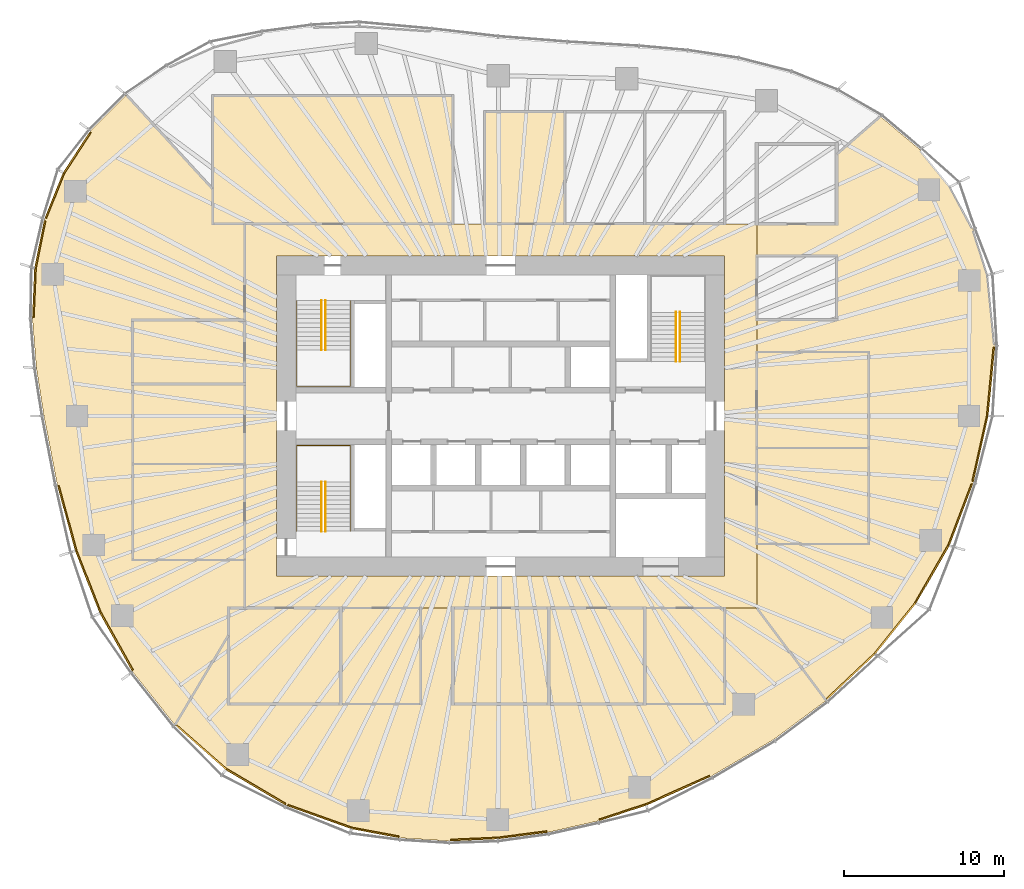
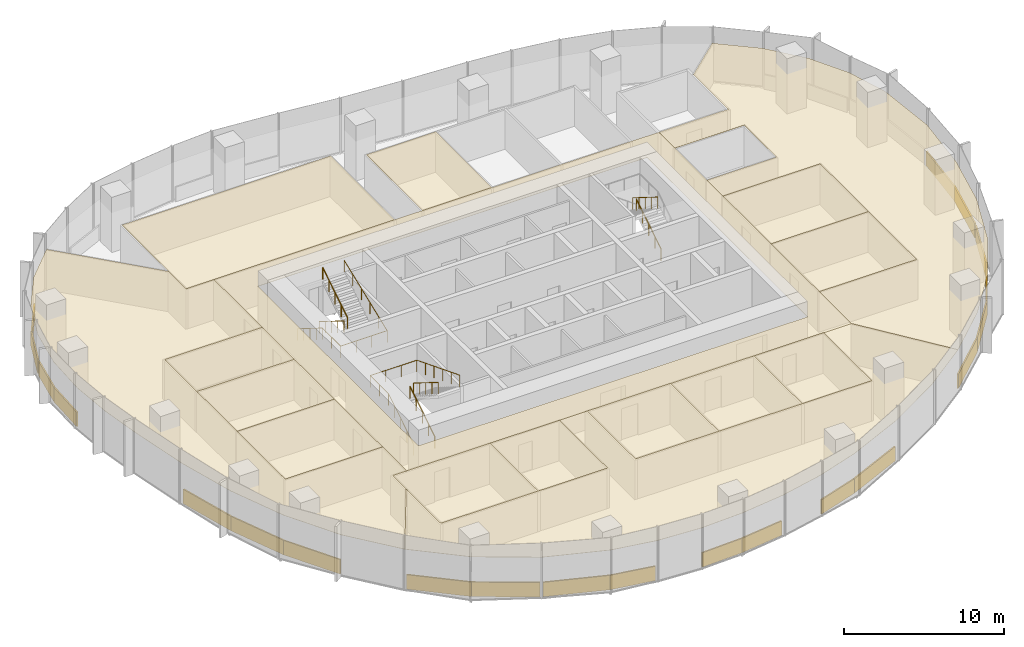
# One storey, part 17 of 18: 37 coverings, 8 railings.
"""IFC4 building model written with IfcOpenShell, lengths in metres."""

from ifc_helpers import new_model, si_unit, direction, frame, origin, origin_2d, place, context, subcontext, project, spatial, polyline, rectangle, circle, outline, extrude, material, layer, layer_set, type_object, element, save


model = new_model("IFC4")

# Units and contexts
model_context = context("Model", 3, precision=1e-05, world=origin(), true_north=direction((0.0, 1.0)))
body_context = subcontext(model_context, "Body", "Model", "MODEL_VIEW")
ifc_project = project(units=[si_unit("LENGTHUNIT", "METRE"), si_unit("AREAUNIT", "SQUARE_METRE"), si_unit("VOLUMEUNIT", "CUBIC_METRE"), si_unit("PLANEANGLEUNIT", "RADIAN"), si_unit("MASSUNIT", "GRAM", prefix="KILO")], contexts=[model_context])

# Site, building, storey
site_placement = place(None, origin())
site = spatial("IfcSite", under=ifc_project, at=site_placement, CompositionType="ELEMENT")
building_placement = place(site_placement, origin())
building = spatial("IfcBuilding", under=site, at=building_placement, Name="Ghaith Harvest Tower", CompositionType="ELEMENT")
storey_placement = place(building_placement, frame((0.0, 0.0, 151.199951171875)))
storey = spatial("IfcBuildingStorey", under=building, at=storey_placement, Name="L32", CompositionType="ELEMENT", Elevation=151.199951171875)

# Coverings
ifc_material_1 = material(Name="Mineral fibre ceiling tile", Category="gypsum")
ifc_layer_1 = layer(ifc_material_1, 0.02001953125)
ifc_layer_set_1 = layer_set([ifc_layer_1], Name="CEILING C1")
covering_type_1 = type_object("IfcCoveringType", Name="CEILING C1", PredefinedType="CEILING", material=ifc_layer_set_1)
covering_1_placement = place(storey_placement, frame((0.0, 0.0, 3.0)))
element("IfcCovering", 1, at=covering_1_placement, inside=storey, type_object=covering_type_1, Name="Ceiling L32-01", PredefinedType="CEILING", context=body_context, shape_type="SweptSolid", body=[
    extrude(outline(polyline([(-18.0, 12.0), (-3.0, 12.0), (-3.0, 20.0), (-18.0, 20.0), (-18.0, 12.0)])), origin(), (0.0, 0.0, 1.0), 0.02001953125),
])
covering_2_placement = place(storey_placement, frame((0.0, 0.0, 3.0)))
element("IfcCovering", 2, at=covering_2_placement, inside=storey, type_object=covering_type_1, Name="Ceiling L32-02", PredefinedType="CEILING", context=body_context, shape_type="SweptSolid", body=[
    extrude(outline(polyline([(-1.0, 12.0), (4.0, 12.0), (4.0, 19.0), (-1.0, 19.0), (-1.0, 12.0)])), origin(), (0.0, 0.0, 1.0), 0.02001953125),
])
covering_3_placement = place(storey_placement, frame((0.0, 0.0, 3.0)))
element("IfcCovering", 3, at=covering_3_placement, inside=storey, type_object=covering_type_1, Name="Ceiling L32-05", PredefinedType="CEILING", context=body_context, shape_type="SweptSolid", body=[
    extrude(outline(polyline([(-17.0, -18.0), (-10.0, -18.0), (-10.0, -12.0), (-17.0, -12.0), (-17.0, -18.0)])), origin(), (0.0, 0.0, 1.0), 0.02001953125),
])
covering_4_placement = place(storey_placement, frame((0.0, 0.0, 3.0)))
element("IfcCovering", 4, at=covering_4_placement, inside=storey, type_object=covering_type_1, Name="Ceiling L32-06", PredefinedType="CEILING", context=body_context, shape_type="SweptSolid", body=[
    extrude(outline(polyline([(-10.0, -18.0), (-5.0, -18.0), (-5.0, -12.0), (-10.0, -12.0), (-10.0, -18.0)])), origin(), (0.0, 0.0, 1.0), 0.02001953125),
])
covering_5_placement = place(storey_placement, frame((0.0, 0.0, 3.0)))
element("IfcCovering", 5, at=covering_5_placement, inside=storey, type_object=covering_type_1, Name="Ceiling L32-07", PredefinedType="CEILING", context=body_context, shape_type="SweptSolid", body=[
    extrude(outline(polyline([(-3.0, -18.0), (3.0, -18.0), (3.0, -12.0), (-3.0, -12.0), (-3.0, -18.0)])), origin(), (0.0, 0.0, 1.0), 0.02001953125),
])
covering_6_placement = place(storey_placement, frame((0.0, 0.0, 3.0)))
element("IfcCovering", 6, at=covering_6_placement, inside=storey, type_object=covering_type_1, Name="Ceiling L32-08", PredefinedType="CEILING", context=body_context, shape_type="SweptSolid", body=[
    extrude(outline(polyline([(3.0, -18.0), (9.0, -18.0), (9.0, -12.0), (3.0, -12.0), (3.0, -18.0)])), origin(), (0.0, 0.0, 1.0), 0.02001953125),
])
covering_7_placement = place(storey_placement, frame((0.0, 0.0, 3.0)))
element("IfcCovering", 7, at=covering_7_placement, inside=storey, type_object=covering_type_1, Name="Ceiling L32-09", PredefinedType="CEILING", context=body_context, shape_type="SweptSolid", body=[
    extrude(outline(polyline([(9.0, -18.0), (14.0, -18.0), (14.0, -12.0), (9.0, -12.0), (9.0, -18.0)])), origin(), (0.0, 0.0, 1.0), 0.02001953125),
])
covering_8_placement = place(storey_placement, frame((0.0, 0.0, 3.0)))
element("IfcCovering", 8, at=covering_8_placement, inside=storey, type_object=covering_type_1, Name="Ceiling L32-10", PredefinedType="CEILING", context=body_context, shape_type="SweptSolid", body=[
    extrude(outline(polyline([(16.0, -8.0), (23.0, -8.0), (23.0, -2.0), (16.0, -2.0), (16.0, -8.0)])), origin(), (0.0, 0.0, 1.0), 0.02001953125),
])
covering_9_placement = place(storey_placement, frame((0.0, 0.0, 3.0)))
element("IfcCovering", 9, at=covering_9_placement, inside=storey, type_object=covering_type_1, Name="Ceiling L32-11", PredefinedType="CEILING", context=body_context, shape_type="SweptSolid", body=[
    extrude(outline(polyline([(16.0, -2.0), (23.0, -2.0), (23.0, 4.0), (16.0, 4.0), (16.0, -2.0)])), origin(), (0.0, 0.0, 1.0), 0.02001953125),
])
covering_10_placement = place(storey_placement, frame((0.0, 0.0, 3.0)))
element("IfcCovering", 10, at=covering_10_placement, inside=storey, type_object=covering_type_1, Name="Ceiling L32-12", PredefinedType="CEILING", context=body_context, shape_type="SweptSolid", body=[
    extrude(outline(polyline([(-23.0, -9.0), (-16.0, -9.0), (-16.0, -3.0), (-23.0, -3.0), (-23.0, -9.0)])), origin(), (0.0, 0.0, 1.0), 0.02001953125),
])
covering_11_placement = place(storey_placement, frame((0.0, 0.0, 3.0)))
element("IfcCovering", 11, at=covering_11_placement, inside=storey, type_object=covering_type_1, Name="Ceiling L32-13", PredefinedType="CEILING", context=body_context, shape_type="SweptSolid", body=[
    extrude(outline(polyline([(-23.0, -3.0), (-16.0, -3.0), (-16.0, 2.0), (-23.0, 2.0), (-23.0, -3.0)])), origin(), (0.0, 0.0, 1.0), 0.02001953125),
])
covering_12_placement = place(storey_placement, frame((0.0, 0.0, 3.0)))
element("IfcCovering", 12, at=covering_12_placement, inside=storey, type_object=covering_type_1, Name="Ceiling L32-14", PredefinedType="CEILING", context=body_context, shape_type="SweptSolid", body=[
    extrude(outline(polyline([(-23.0, 2.0), (-16.0, 2.0), (-16.0, 6.0), (-23.0, 6.0), (-23.0, 2.0)])), origin(), (0.0, 0.0, 1.0), 0.02001953125),
])
covering_13_placement = place(storey_placement, frame((0.0, 0.0, 3.0)))
element("IfcCovering", 13, at=covering_13_placement, inside=storey, type_object=covering_type_1, Name="Ceiling L32-C1", PredefinedType="CEILING", context=body_context, shape_type="SweptSolid", body=[
    extrude(outline(polyline([(-16.0, 12.0), (16.0, 12.0), (16.0, -12.0), (-16.0, -12.0), (-16.0, 12.0)]), holes=[polyline([(14.0, 10.0), (-14.0, 10.0), (-14.0, -10.0), (14.0, -10.0), (14.0, 10.0)])]), origin(), (0.0, 0.0, 1.0), 0.02001953125),
])
covering_14_placement = place(storey_placement, frame((0.0, 0.0, 3.0)))
element("IfcCovering", 14, at=covering_14_placement, inside=storey, type_object=covering_type_1, Name="Ceiling L32-E1", PredefinedType="CEILING", context=body_context, shape_type="SweptSolid", body=[
    extrude(outline(polyline([(26.179443359375, 16.660888671875), (28.0888671875, 14.32568359375), (29.52294921875, 11.671875), (30.439208984375, 8.797607421875), (30.8798828125, 4.373046875), (30.458740234375, 0.0), (29.527099609375, -4.181396484375), (28.03125, -8.1015625), (25.94775390625, -11.714111328125), (23.400390625, -14.89208984375), (20.33935546875, -17.784912109375), (16.0, -12.0), (16.0, -8.0), (23.0, -8.0), (23.0, 4.0), (16.0, 4.0), (16.0, 6.0), (21.0, 6.0), (21.0, 10.0), (16.0, 10.0), (16.0, 12.0), (21.0, 12.0), (21.0, 16.3466796875), (23.7275390625, 18.718017578125), (26.179443359375, 16.660888671875)])), origin(), (0.0, 0.0, 1.0), 0.02001953125),
])
covering_15_placement = place(storey_placement, frame((0.0, 0.0, 3.0)))
element("IfcCovering", 15, at=covering_15_placement, inside=storey, type_object=covering_type_1, Name="Ceiling L32-S1", PredefinedType="CEILING", context=body_context, shape_type="SweptSolid", body=[
    extrude(outline(polyline([(17.054443359375, -20.22412109375), (13.163818359375, -22.510498046875), (9.09423828125, -24.326904296875), (6.09228515625, -25.308837890625), (2.99609375, -26.010009765625), (-0.180908203125, -26.423583984375), (-3.204833984375, -26.556884765625), (-6.2666015625, -26.366455078125), (-9.317138671875, -25.79638671875), (-13.4052734375, -24.33740234375), (-17.1728515625, -22.11181640625), (-20.35400390625, -19.31396484375), (-17.0, -13.6796875), (-17.0, -18.0), (-5.0, -18.0), (-5.0, -12.0), (-3.0, -12.0), (-3.0, -18.0), (14.0, -18.0), (14.0, -12.0), (16.0, -12.0), (20.33935546875, -17.784912109375), (17.054443359375, -20.22412109375)])), origin(), (0.0, 0.0, 1.0), 0.02001953125),
])
covering_16_placement = place(storey_placement, frame((0.0, 0.0, 3.0)))
element("IfcCovering", 16, at=covering_16_placement, inside=storey, type_object=covering_type_1, Name="Ceiling L32-W1", PredefinedType="CEILING", context=body_context, shape_type="SweptSolid", body=[
    extrude(outline(polyline([(-25.046875, -12.32861328125), (-26.580078125, -8.423583984375), (-27.70947265625, -4.285888671875), (-28.541259765625, 0.0), (-29.01171875, 2.978271484375), (-29.260498046875, 6.07177734375), (-29.12646484375, 9.230712890625), (-28.506591796875, 12.29638671875), (-27.33837890625, 15.204833984375), (-25.61962890625, 17.826416015625), (-23.398193359375, 20.06103515625), (-18.0, 14.17919921875), (-18.0, 12.0), (-16.0, 12.0), (-16.0, 6.0), (-23.0, 6.0), (-23.0, -9.0), (-16.0, -9.0), (-16.0, -12.0), (-17.0, -12.0), (-17.0, -13.6796875), (-20.35400390625, -19.31396484375), (-22.99169921875, -15.997802734375), (-25.046875, -12.32861328125)])), origin(), (0.0, 0.0, 1.0), 0.02001953125),
])

# Railings
ifc_material_2 = material(Name="Steel, black powder-coated", Category="steel")
railing_type = type_object("IfcRailingType", Name="HANDRAIL HR1", PredefinedType="HANDRAIL", material=ifc_material_2)
railing_1_placement = place(storey_placement, frame((-11.199951171875, 7.199951171875, 0.175048828125)))
element("IfcRailing", 17, at=railing_1_placement, inside=storey, type_object=railing_type, Name="Handrail HR1 stair ST1 L32 flight 1 inner", PredefinedType="HANDRAIL", context=body_context, shape_type="SweptSolid", body=[
    extrude(circle(Radius=0.02392578125, at=origin_2d()), frame((0.0, 0.0, 0.8759765625), z_axis=(0.0, -0.847979421464, 0.530029150871), x_axis=(1.0, 0.0, 0.0)), (0.0, 0.0, 1.0), 3.632080078125),
    extrude(circle(Radius=0.02099609375, at=origin_2d()), origin(), (0.0, 0.0, 1.0), 0.851806640625),
    extrude(circle(Radius=0.02099609375, at=origin_2d()), frame((0.0, -0.77001953125, 0.481201171875)), (0.0, 0.0, 1.0), 0.851806640625),
    extrude(circle(Radius=0.02099609375, at=origin_2d()), frame((0.0, -1.5400390625, 0.96240234375)), (0.0, 0.0, 1.0), 0.851806640625),
    extrude(circle(Radius=0.02099609375, at=origin_2d()), frame((0.0, -2.309814453125, 1.44384765625)), (0.0, 0.0, 1.0), 0.851806640625),
    extrude(circle(Radius=0.02099609375, at=origin_2d()), frame((0.0, -3.079833984375, 1.925048828125)), (0.0, 0.0, 1.0), 0.851806640625),
])
railing_2_placement = place(storey_placement, frame((-10.949951171875, 4.1201171875, 2.275146484375)))
element("IfcRailing", 18, at=railing_2_placement, inside=storey, type_object=railing_type, Name="Handrail HR1 stair ST1 L32 flight 2 inner", PredefinedType="HANDRAIL", context=body_context, shape_type="SweptSolid", body=[
    extrude(circle(Radius=0.02392578125, at=origin_2d()), frame((0.0, 0.0, 0.8759765625), z_axis=(0.0, 0.848009633417, 0.529980812513), x_axis=(-1.0, 0.0, 0.0)), (0.0, 0.0, 1.0), 3.6318359375),
    extrude(circle(Radius=0.02099609375, at=origin_2d()), origin(), (0.0, 0.0, 1.0), 0.851806640625),
    extrude(circle(Radius=0.02099609375, at=origin_2d()), frame((0.0, 0.77001953125, 0.481201171875)), (0.0, 0.0, 1.0), 0.851806640625),
    extrude(circle(Radius=0.02099609375, at=origin_2d()), frame((0.0, 1.5400390625, 0.96240234375)), (0.0, 0.0, 1.0), 0.851806640625),
    extrude(circle(Radius=0.02099609375, at=origin_2d()), frame((0.0, 2.309814453125, 1.443603515625)), (0.0, 0.0, 1.0), 0.851806640625),
    extrude(circle(Radius=0.02099609375, at=origin_2d()), frame((0.0, 3.079833984375, 1.9248046875)), (0.0, 0.0, 1.0), 0.851806640625),
])
railing_3_placement = place(storey_placement, frame((-12.75, 7.199951171875, 0.175048828125)))
element("IfcRailing", 19, at=railing_3_placement, inside=storey, type_object=railing_type, Name="Handrail HR1 stair ST1 L32 wall side", PredefinedType="HANDRAIL", context=body_context, shape_type="SweptSolid", body=[
    extrude(circle(Radius=0.02392578125, at=origin_2d()), frame((0.0, 0.0, 0.8759765625), z_axis=(0.0, -0.847979421464, 0.530029150871), x_axis=(1.0, 0.0, 0.0)), (0.0, 0.0, 1.0), 3.632080078125),
    extrude(circle(Radius=0.02392578125, at=origin_2d()), frame((0.0, -3.079833984375, 2.80078125), z_axis=(0.0, -1.0, 0.0), x_axis=(1.0, 0.0, 0.0)), (0.0, 0.0, 1.0), 2.27001953125),
    extrude(circle(Radius=0.02392578125, at=origin_2d()), frame((0.0, -5.349853515625, 2.80078125), z_axis=(1.0, 0.0, 0.0), x_axis=(0.0, 1.0, 0.0)), (0.0, 0.0, 1.0), 3.35009765625),
    extrude(circle(Radius=0.02392578125, at=origin_2d()), frame((3.35009765625, -5.349853515625, 2.80078125), z_axis=(0.0, 0.930862461605, 0.365369781968), x_axis=(-1.0, 0.0, 0.0)), (0.0, 0.0, 1.0), 5.747314453125),
    extrude(circle(Radius=0.02099609375, at=origin_2d()), origin(), (0.0, 0.0, 1.0), 0.851806640625),
    extrude(circle(Radius=0.02099609375, at=origin_2d()), frame((0.0, -0.77001953125, 0.481201171875)), (0.0, 0.0, 1.0), 0.851806640625),
    extrude(circle(Radius=0.02099609375, at=origin_2d()), frame((0.0, -1.5400390625, 0.96240234375)), (0.0, 0.0, 1.0), 0.851806640625),
    extrude(circle(Radius=0.02099609375, at=origin_2d()), frame((0.0, -2.309814453125, 1.44384765625)), (0.0, 0.0, 1.0), 0.851806640625),
    extrude(circle(Radius=0.02099609375, at=origin_2d()), frame((0.0, -3.079833984375, 1.925048828125)), (0.0, 0.0, 1.0), 0.851806640625),
    extrude(circle(Radius=0.02099609375, at=origin_2d()), frame((0.0, -4.21484375, 1.925048828125)), (0.0, 0.0, 1.0), 0.851806640625),
    extrude(circle(Radius=0.02099609375, at=origin_2d()), frame((0.0, -5.349853515625, 1.925048828125)), (0.0, 0.0, 1.0), 0.851806640625),
    extrude(circle(Radius=0.02099609375, at=origin_2d()), frame((1.11669921875, -5.349853515625, 1.925048828125)), (0.0, 0.0, 1.0), 0.851806640625),
    extrude(circle(Radius=0.02099609375, at=origin_2d()), frame((2.2333984375, -5.349853515625, 1.925048828125)), (0.0, 0.0, 1.0), 0.851806640625),
    extrude(circle(Radius=0.02099609375, at=origin_2d()), frame((3.35009765625, -5.349853515625, 1.925048828125)), (0.0, 0.0, 1.0), 0.851806640625),
    extrude(circle(Radius=0.02099609375, at=origin_2d()), frame((3.35009765625, -4.27978515625, 2.344970703125)), (0.0, 0.0, 1.0), 0.851806640625),
    extrude(circle(Radius=0.02099609375, at=origin_2d()), frame((3.35009765625, -3.2099609375, 2.764892578125)), (0.0, 0.0, 1.0), 0.851806640625),
    extrude(circle(Radius=0.02099609375, at=origin_2d()), frame((3.35009765625, -2.139892578125, 3.18505859375)), (0.0, 0.0, 1.0), 0.851806640625),
    extrude(circle(Radius=0.02099609375, at=origin_2d()), frame((3.35009765625, -1.070068359375, 3.60498046875)), (0.0, 0.0, 1.0), 0.851806640625),
    extrude(circle(Radius=0.02099609375, at=origin_2d()), frame((3.35009765625, 0.0, 4.02490234375)), (0.0, 0.0, 1.0), 0.851806640625),
])
railing_4_placement = place(storey_placement, frame((-11.199951171875, -7.199951171875, 0.175048828125)))
element("IfcRailing", 20, at=railing_4_placement, inside=storey, type_object=railing_type, Name="Handrail HR1 stair ST3 L32 flight 1 inner", PredefinedType="HANDRAIL", context=body_context, shape_type="SweptSolid", body=[
    extrude(circle(Radius=0.02392578125, at=origin_2d()), frame((0.0, 0.0, 0.8759765625), z_axis=(0.0, 0.847979421464, 0.530029150871), x_axis=(-1.0, 0.0, 0.0)), (0.0, 0.0, 1.0), 3.632080078125),
    extrude(circle(Radius=0.02099609375, at=origin_2d()), origin(), (0.0, 0.0, 1.0), 0.851806640625),
    extrude(circle(Radius=0.02099609375, at=origin_2d()), frame((0.0, 0.77001953125, 0.481201171875)), (0.0, 0.0, 1.0), 0.851806640625),
    extrude(circle(Radius=0.02099609375, at=origin_2d()), frame((0.0, 1.5400390625, 0.96240234375)), (0.0, 0.0, 1.0), 0.851806640625),
    extrude(circle(Radius=0.02099609375, at=origin_2d()), frame((0.0, 2.309814453125, 1.44384765625)), (0.0, 0.0, 1.0), 0.851806640625),
    extrude(circle(Radius=0.02099609375, at=origin_2d()), frame((0.0, 3.079833984375, 1.925048828125)), (0.0, 0.0, 1.0), 0.851806640625),
])
railing_5_placement = place(storey_placement, frame((-10.949951171875, -4.1201171875, 2.275146484375)))
element("IfcRailing", 21, at=railing_5_placement, inside=storey, type_object=railing_type, Name="Handrail HR1 stair ST3 L32 flight 2 inner", PredefinedType="HANDRAIL", context=body_context, shape_type="SweptSolid", body=[
    extrude(circle(Radius=0.02392578125, at=origin_2d()), frame((0.0, 0.0, 0.8759765625), z_axis=(0.0, -0.848009633417, 0.529980812513), x_axis=(1.0, 0.0, 0.0)), (0.0, 0.0, 1.0), 3.6318359375),
    extrude(circle(Radius=0.02099609375, at=origin_2d()), origin(), (0.0, 0.0, 1.0), 0.851806640625),
    extrude(circle(Radius=0.02099609375, at=origin_2d()), frame((0.0, -0.77001953125, 0.481201171875)), (0.0, 0.0, 1.0), 0.851806640625),
    extrude(circle(Radius=0.02099609375, at=origin_2d()), frame((0.0, -1.5400390625, 0.96240234375)), (0.0, 0.0, 1.0), 0.851806640625),
    extrude(circle(Radius=0.02099609375, at=origin_2d()), frame((0.0, -2.309814453125, 1.443603515625)), (0.0, 0.0, 1.0), 0.851806640625),
    extrude(circle(Radius=0.02099609375, at=origin_2d()), frame((0.0, -3.079833984375, 1.9248046875)), (0.0, 0.0, 1.0), 0.851806640625),
])
railing_6_placement = place(storey_placement, frame((-12.75, -7.199951171875, 0.175048828125)))
element("IfcRailing", 22, at=railing_6_placement, inside=storey, type_object=railing_type, Name="Handrail HR1 stair ST3 L32 wall side", PredefinedType="HANDRAIL", context=body_context, shape_type="SweptSolid", body=[
    extrude(circle(Radius=0.02392578125, at=origin_2d()), frame((0.0, 0.0, 0.8759765625), z_axis=(0.0, 0.847979421464, 0.530029150871), x_axis=(-1.0, 0.0, 0.0)), (0.0, 0.0, 1.0), 3.632080078125),
    extrude(circle(Radius=0.02392578125, at=origin_2d()), frame((0.0, 3.079833984375, 2.80078125), z_axis=(0.0, 1.0, 0.0), x_axis=(-1.0, 0.0, 0.0)), (0.0, 0.0, 1.0), 2.27001953125),
    extrude(circle(Radius=0.02392578125, at=origin_2d()), frame((0.0, 5.349853515625, 2.80078125), z_axis=(1.0, 0.0, 0.0), x_axis=(0.0, 1.0, 0.0)), (0.0, 0.0, 1.0), 3.35009765625),
    extrude(circle(Radius=0.02392578125, at=origin_2d()), frame((3.35009765625, 5.349853515625, 2.80078125), z_axis=(0.0, -0.930862461605, 0.365369781968), x_axis=(1.0, 0.0, 0.0)), (0.0, 0.0, 1.0), 5.747314453125),
    extrude(circle(Radius=0.02099609375, at=origin_2d()), origin(), (0.0, 0.0, 1.0), 0.851806640625),
    extrude(circle(Radius=0.02099609375, at=origin_2d()), frame((0.0, 0.77001953125, 0.481201171875)), (0.0, 0.0, 1.0), 0.851806640625),
    extrude(circle(Radius=0.02099609375, at=origin_2d()), frame((0.0, 1.5400390625, 0.96240234375)), (0.0, 0.0, 1.0), 0.851806640625),
    extrude(circle(Radius=0.02099609375, at=origin_2d()), frame((0.0, 2.309814453125, 1.44384765625)), (0.0, 0.0, 1.0), 0.851806640625),
    extrude(circle(Radius=0.02099609375, at=origin_2d()), frame((0.0, 3.079833984375, 1.925048828125)), (0.0, 0.0, 1.0), 0.851806640625),
    extrude(circle(Radius=0.02099609375, at=origin_2d()), frame((0.0, 4.21484375, 1.925048828125)), (0.0, 0.0, 1.0), 0.851806640625),
    extrude(circle(Radius=0.02099609375, at=origin_2d()), frame((0.0, 5.349853515625, 1.925048828125)), (0.0, 0.0, 1.0), 0.851806640625),
    extrude(circle(Radius=0.02099609375, at=origin_2d()), frame((1.11669921875, 5.349853515625, 1.925048828125)), (0.0, 0.0, 1.0), 0.851806640625),
    extrude(circle(Radius=0.02099609375, at=origin_2d()), frame((2.2333984375, 5.349853515625, 1.925048828125)), (0.0, 0.0, 1.0), 0.851806640625),
    extrude(circle(Radius=0.02099609375, at=origin_2d()), frame((3.35009765625, 5.349853515625, 1.925048828125)), (0.0, 0.0, 1.0), 0.851806640625),
    extrude(circle(Radius=0.02099609375, at=origin_2d()), frame((3.35009765625, 4.27978515625, 2.344970703125)), (0.0, 0.0, 1.0), 0.851806640625),
    extrude(circle(Radius=0.02099609375, at=origin_2d()), frame((3.35009765625, 3.2099609375, 2.764892578125)), (0.0, 0.0, 1.0), 0.851806640625),
    extrude(circle(Radius=0.02099609375, at=origin_2d()), frame((3.35009765625, 2.139892578125, 3.18505859375)), (0.0, 0.0, 1.0), 0.851806640625),
    extrude(circle(Radius=0.02099609375, at=origin_2d()), frame((3.35009765625, 1.070068359375, 3.60498046875)), (0.0, 0.0, 1.0), 0.851806640625),
    extrude(circle(Radius=0.02099609375, at=origin_2d()), frame((3.35009765625, 0.0, 4.02490234375)), (0.0, 0.0, 1.0), 0.851806640625),
])
railing_7_placement = place(storey_placement, frame((11.199951171875, 3.39990234375, 0.175048828125)))
element("IfcRailing", 23, at=railing_7_placement, inside=storey, type_object=railing_type, Name="Handrail HR1 stair ST2 L32 flight 1 inner", PredefinedType="HANDRAIL", context=body_context, shape_type="SweptSolid", body=[
    extrude(circle(Radius=0.02392578125, at=origin_2d()), frame((0.0, 0.0, 0.8759765625), z_axis=(0.0, 0.847998304005, 0.529998940003), x_axis=(-1.0, 0.0, 0.0)), (0.0, 0.0, 1.0), 3.632080078125),
    extrude(circle(Radius=0.02099609375, at=origin_2d()), origin(), (0.0, 0.0, 1.0), 0.851806640625),
    extrude(circle(Radius=0.02099609375, at=origin_2d()), frame((0.0, 0.77001953125, 0.481201171875)), (0.0, 0.0, 1.0), 0.851806640625),
    extrude(circle(Radius=0.02099609375, at=origin_2d()), frame((0.0, 1.5400390625, 0.96240234375)), (0.0, 0.0, 1.0), 0.851806640625),
    extrude(circle(Radius=0.02099609375, at=origin_2d()), frame((0.0, 2.31005859375, 1.44384765625)), (0.0, 0.0, 1.0), 0.851806640625),
    extrude(circle(Radius=0.02099609375, at=origin_2d()), frame((0.0, 3.080078125, 1.925048828125)), (0.0, 0.0, 1.0), 0.851806640625),
])
railing_8_placement = place(storey_placement, frame((10.949951171875, 6.47998046875, 2.275146484375)))
element("IfcRailing", 24, at=railing_8_placement, inside=storey, type_object=railing_type, Name="Handrail HR1 stair ST2 L32 flight 2 inner", PredefinedType="HANDRAIL", context=body_context, shape_type="SweptSolid", body=[
    extrude(circle(Radius=0.02392578125, at=origin_2d()), frame((0.0, 0.0, 0.8759765625), z_axis=(0.0, -0.848028513186, 0.529950602248), x_axis=(1.0, 0.0, 0.0)), (0.0, 0.0, 1.0), 3.632080078125),
    extrude(circle(Radius=0.02099609375, at=origin_2d()), origin(), (0.0, 0.0, 1.0), 0.851806640625),
    extrude(circle(Radius=0.02099609375, at=origin_2d()), frame((0.0, -0.77001953125, 0.481201171875)), (0.0, 0.0, 1.0), 0.851806640625),
    extrude(circle(Radius=0.02099609375, at=origin_2d()), frame((0.0, -1.5400390625, 0.96240234375)), (0.0, 0.0, 1.0), 0.851806640625),
    extrude(circle(Radius=0.02099609375, at=origin_2d()), frame((0.0, -2.31005859375, 1.443603515625)), (0.0, 0.0, 1.0), 0.851806640625),
    extrude(circle(Radius=0.02099609375, at=origin_2d()), frame((0.0, -3.080078125, 1.9248046875)), (0.0, 0.0, 1.0), 0.851806640625),
])

# Coverings
ifc_material_3 = material(Name="Insulated aluminium spandrel panel on steel framing", Category="steel")
ifc_layer_2 = layer(ifc_material_3, 0.10009765625)
ifc_layer_set_2 = layer_set([ifc_layer_2], Name="SLAB EDGE UPSTAND 1100x100")
covering_type_2 = type_object("IfcCoveringType", Name="SLAB EDGE UPSTAND 1100x100", PredefinedType="CLADDING", material=ifc_layer_set_2)
covering_17_placement = place(storey_placement, frame((30.61474609375, 2.1416015625, 0.0), z_axis=(0.0, 0.0, 1.0), x_axis=(0.095861332319, 0.99539469808, 0.0)))
element("IfcCovering", 25, at=covering_17_placement, inside=storey, type_object=covering_type_2, Name="Slab edge upstand 1 bay 01 L32", PredefinedType="CLADDING", context=body_context, shape_type="SweptSolid", body=[
    extrude(rectangle(XDim=4.293212890625, YDim=0.10009765625, at=origin_2d()), origin(), (0.0, 0.0, 1.0), 1.10009765625),
])
covering_18_placement = place(storey_placement, frame((-26.464599609375, 16.4462890625, 0.0), z_axis=(0.0, 0.0, 1.0), x_axis=(-0.548312211554, -0.836273710373, 0.0)))
element("IfcCovering", 26, at=covering_18_placement, inside=storey, type_object=covering_type_2, Name="Slab edge upstand 1 bay 09 L32", PredefinedType="CLADDING", context=body_context, shape_type="SweptSolid", body=[
    extrude(rectangle(XDim=3.03466796875, YDim=0.10009765625, at=origin_2d()), origin(), (0.0, 0.0, 1.0), 1.10009765625),
])
covering_19_placement = place(storey_placement, frame((-27.857421875, 13.7783203125, 0.0), z_axis=(0.0, 0.0, 1.0), x_axis=(-0.372732078847, -0.927939005215, 0.0)))
element("IfcCovering", 27, at=covering_19_placement, inside=storey, type_object=covering_type_2, Name="Slab edge upstand 2 bay 09 L32", PredefinedType="CLADDING", context=body_context, shape_type="SweptSolid", body=[
    extrude(rectangle(XDim=3.034423828125, YDim=0.10009765625, at=origin_2d()), origin(), (0.0, 0.0, 1.0), 1.10009765625),
])
covering_20_placement = place(storey_placement, frame((-28.777587890625, 10.70458984375, 0.0), z_axis=(0.0, 0.0, 1.0), x_axis=(-0.198182542943, -0.980165128778, 0.0)))
element("IfcCovering", 28, at=covering_20_placement, inside=storey, type_object=covering_type_2, Name="Slab edge upstand 3 bay 09 L32", PredefinedType="CLADDING", context=body_context, shape_type="SweptSolid", body=[
    extrude(rectangle(XDim=3.027587890625, YDim=0.10009765625, at=origin_2d()), origin(), (0.0, 0.0, 1.0), 1.10009765625),
])
covering_21_placement = place(storey_placement, frame((-29.141357421875, 7.69921875, 0.0), z_axis=(0.0, 0.0, 1.0), x_axis=(-0.042372799788, -0.9991018696, 0.0)))
element("IfcCovering", 29, at=covering_21_placement, inside=storey, type_object=covering_type_2, Name="Slab edge upstand 1 bay 10 L32", PredefinedType="CLADDING", context=body_context, shape_type="SweptSolid", body=[
    extrude(rectangle(XDim=3.061767578125, YDim=0.10009765625, at=origin_2d()), origin(), (0.0, 0.0, 1.0), 1.10009765625),
])
covering_22_placement = place(storey_placement, frame((-27.08349609375, -6.389892578125, 0.0), z_axis=(0.0, 0.0, 1.0), x_axis=(0.263287721652, -0.964717355305, 0.0)))
element("IfcCovering", 30, at=covering_22_placement, inside=storey, type_object=covering_type_2, Name="Slab edge upstand 2 bay 11 L32", PredefinedType="CLADDING", context=body_context, shape_type="SweptSolid", body=[
    extrude(rectangle(XDim=4.189208984375, YDim=0.10009765625, at=origin_2d()), origin(), (0.0, 0.0, 1.0), 1.10009765625),
])
covering_23_placement = place(storey_placement, frame((-25.76708984375, -10.35791015625, 0.0), z_axis=(0.0, 0.0, 1.0), x_axis=(0.365514970008, -0.930805461254, 0.0)))
element("IfcCovering", 31, at=covering_23_placement, inside=storey, type_object=covering_type_2, Name="Slab edge upstand 1 bay 12 L32", PredefinedType="CLADDING", context=body_context, shape_type="SweptSolid", body=[
    extrude(rectangle(XDim=4.195068359375, YDim=0.10009765625, at=origin_2d()), origin(), (0.0, 0.0, 1.0), 1.10009765625),
])
covering_24_placement = place(storey_placement, frame((-24.0, -14.09521484375, 0.0), z_axis=(0.0, 0.0, 1.0), x_axis=(0.488683758288, -0.872460993045, 0.0)))
element("IfcCovering", 32, at=covering_24_placement, inside=storey, type_object=covering_type_2, Name="Slab edge upstand 2 bay 12 L32", PredefinedType="CLADDING", context=body_context, shape_type="SweptSolid", body=[
    extrude(rectangle(XDim=4.10546875, YDim=0.10009765625, at=origin_2d()), origin(), (0.0, 0.0, 1.0), 1.10009765625),
])
covering_25_placement = place(storey_placement, frame((-18.69287109375, -20.70849609375, 0.0), z_axis=(0.0, 0.0, 1.0), x_axis=(0.75089221411, -0.660424774511, 0.0)))
element("IfcCovering", 33, at=covering_25_placement, inside=storey, type_object=covering_type_2, Name="Slab edge upstand 2 bay 13 L32", PredefinedType="CLADDING", context=body_context, shape_type="SweptSolid", body=[
    extrude(rectangle(XDim=4.136474609375, YDim=0.10009765625, at=origin_2d()), origin(), (0.0, 0.0, 1.0), 1.10009765625),
])
covering_26_placement = place(storey_placement, frame((-15.306640625, -23.15625, 0.0), z_axis=(0.0, 0.0, 1.0), x_axis=(0.861020519069, -0.508570217121, 0.0)))
element("IfcCovering", 34, at=covering_26_placement, inside=storey, type_object=covering_type_2, Name="Slab edge upstand 1 bay 14 L32", PredefinedType="CLADDING", context=body_context, shape_type="SweptSolid", body=[
    extrude(rectangle(XDim=4.27587890625, YDim=0.10009765625, at=origin_2d()), origin(), (0.0, 0.0, 1.0), 1.10009765625),
])
covering_27_placement = place(storey_placement, frame((-11.29736328125, -25.03662109375, 0.0), z_axis=(0.0, 0.0, 1.0), x_axis=(0.941807015649, -0.336154049915, 0.0)))
element("IfcCovering", 35, at=covering_27_placement, inside=storey, type_object=covering_type_2, Name="Slab edge upstand 2 bay 14 L32", PredefinedType="CLADDING", context=body_context, shape_type="SweptSolid", body=[
    extrude(rectangle(XDim=4.24072265625, YDim=0.10009765625, at=origin_2d()), origin(), (0.0, 0.0, 1.0), 1.10009765625),
])
covering_28_placement = place(storey_placement, frame((-7.831787109375, -26.023193359375, 0.0), z_axis=(0.0, 0.0, 1.0), x_axis=(0.982990071164, -0.183658705191, 0.0)))
element("IfcCovering", 36, at=covering_28_placement, inside=storey, type_object=covering_type_2, Name="Slab edge upstand 1 bay 15 L32", PredefinedType="CLADDING", context=body_context, shape_type="SweptSolid", body=[
    extrude(rectangle(XDim=3.003173828125, YDim=0.10009765625, at=origin_2d()), origin(), (0.0, 0.0, 1.0), 1.10009765625),
])
covering_29_placement = place(storey_placement, frame((-1.64501953125, -26.43798828125, 0.0), z_axis=(0.0, 0.0, 1.0), x_axis=(0.999029547734, 0.044045008275, 0.0)))
element("IfcCovering", 37, at=covering_29_placement, inside=storey, type_object=covering_type_2, Name="Slab edge upstand 3 bay 15 L32", PredefinedType="CLADDING", context=body_context, shape_type="SweptSolid", body=[
    extrude(rectangle(XDim=2.927001953125, YDim=0.10009765625, at=origin_2d()), origin(), (0.0, 0.0, 1.0), 1.10009765625),
])
covering_30_placement = place(storey_placement, frame((1.3515625, -26.173583984375, 0.0), z_axis=(0.0, 0.0, 1.0), x_axis=(0.991633707242, 0.129083657611, 0.0)))
element("IfcCovering", 38, at=covering_30_placement, inside=storey, type_object=covering_type_2, Name="Slab edge upstand 1 bay 16 L32", PredefinedType="CLADDING", context=body_context, shape_type="SweptSolid", body=[
    extrude(rectangle(XDim=3.103759765625, YDim=0.10009765625, at=origin_2d()), origin(), (0.0, 0.0, 1.0), 1.10009765625),
])
covering_31_placement = place(storey_placement, frame((7.625244140625, -24.754638671875, 0.0), z_axis=(0.0, 0.0, 1.0), x_axis=(0.950441392134, 0.310903779518, 0.0)))
element("IfcCovering", 39, at=covering_31_placement, inside=storey, type_object=covering_type_2, Name="Slab edge upstand 3 bay 16 L32", PredefinedType="CLADDING", context=body_context, shape_type="SweptSolid", body=[
    extrude(rectangle(XDim=3.05859375, YDim=0.10009765625, at=origin_2d()), origin(), (0.0, 0.0, 1.0), 1.10009765625),
])
covering_32_placement = place(storey_placement, frame((11.06298828125, -23.393310546875, 0.0), z_axis=(0.0, 0.0, 1.0), x_axis=(0.913170343632, 0.407578119519, 0.0)))
element("IfcCovering", 40, at=covering_32_placement, inside=storey, type_object=covering_type_2, Name="Slab edge upstand 1 bay 17 L32", PredefinedType="CLADDING", context=body_context, shape_type="SweptSolid", body=[
    extrude(rectangle(XDim=4.356689453125, YDim=0.10009765625, at=origin_2d()), origin(), (0.0, 0.0, 1.0), 1.10009765625),
])
covering_33_placement = place(storey_placement, frame((21.871826171875, -16.267822265625, 0.0), z_axis=(0.0, 0.0, 1.0), x_axis=(0.72680962062, 0.686838973395, 0.0)))
element("IfcCovering", 41, at=covering_33_placement, inside=storey, type_object=covering_type_2, Name="Slab edge upstand 2 bay 18 L32", PredefinedType="CLADDING", context=body_context, shape_type="SweptSolid", body=[
    extrude(rectangle(XDim=4.111572265625, YDim=0.10009765625, at=origin_2d()), origin(), (0.0, 0.0, 1.0), 1.10009765625),
])
covering_34_placement = place(storey_placement, frame((24.635009765625, -13.27197265625, 0.0), z_axis=(0.0, 0.0, 1.0), x_axis=(0.625468377377, 0.780249517079, 0.0)))
element("IfcCovering", 42, at=covering_34_placement, inside=storey, type_object=covering_type_2, Name="Slab edge upstand 1 bay 19 L32", PredefinedType="CLADDING", context=body_context, shape_type="SweptSolid", body=[
    extrude(rectangle(XDim=4.072998046875, YDim=0.10009765625, at=origin_2d()), origin(), (0.0, 0.0, 1.0), 1.10009765625),
])
covering_35_placement = place(storey_placement, frame((26.9462890625, -9.8828125, 0.0), z_axis=(0.0, 0.0, 1.0), x_axis=(0.499596169173, 0.866258430117, 0.0)))
element("IfcCovering", 43, at=covering_35_placement, inside=storey, type_object=covering_type_2, Name="Slab edge upstand 2 bay 19 L32", PredefinedType="CLADDING", context=body_context, shape_type="SweptSolid", body=[
    extrude(rectangle(XDim=4.170166015625, YDim=0.10009765625, at=origin_2d()), origin(), (0.0, 0.0, 1.0), 1.10009765625),
])
covering_36_placement = place(storey_placement, frame((28.714599609375, -6.17041015625, 0.0), z_axis=(0.0, 0.0, 1.0), x_axis=(0.356503850378, 0.934293853488, 0.0)))
element("IfcCovering", 44, at=covering_36_placement, inside=storey, type_object=covering_type_2, Name="Slab edge upstand 1 bay 20 L32", PredefinedType="CLADDING", context=body_context, shape_type="SweptSolid", body=[
    extrude(rectangle(XDim=4.095947265625, YDim=0.10009765625, at=origin_2d()), origin(), (0.0, 0.0, 1.0), 1.10009765625),
])
covering_37_placement = place(storey_placement, frame((29.955078125, -2.031005859375, 0.0), z_axis=(0.0, 0.0, 1.0), x_axis=(0.217466241983, 0.976067842723, 0.0)))
element("IfcCovering", 45, at=covering_37_placement, inside=storey, type_object=covering_type_2, Name="Slab edge upstand 2 bay 20 L32", PredefinedType="CLADDING", context=body_context, shape_type="SweptSolid", body=[
    extrude(rectangle(XDim=4.183837890625, YDim=0.10009765625, at=origin_2d()), origin(), (0.0, 0.0, 1.0), 1.10009765625),
])

save(model, "model.ifc")
